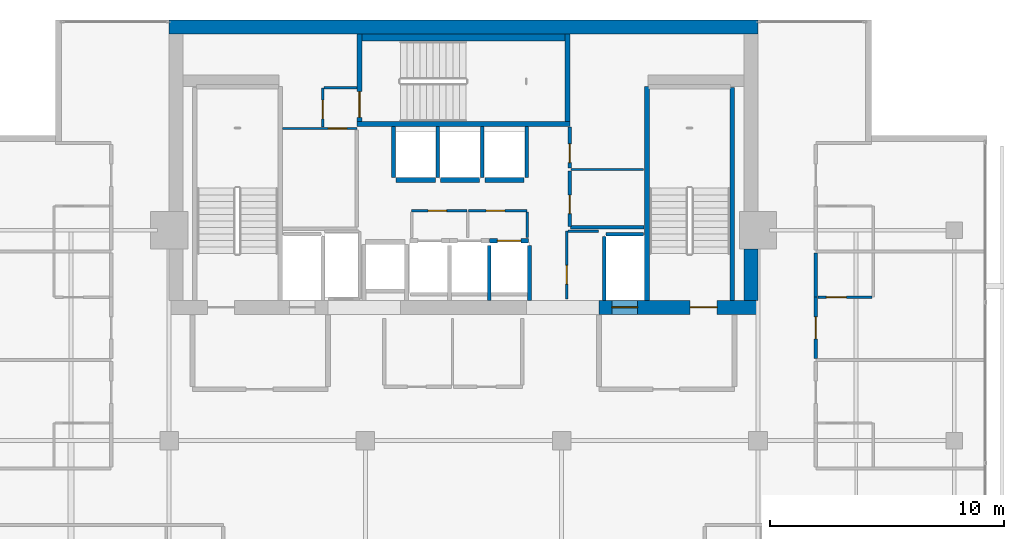
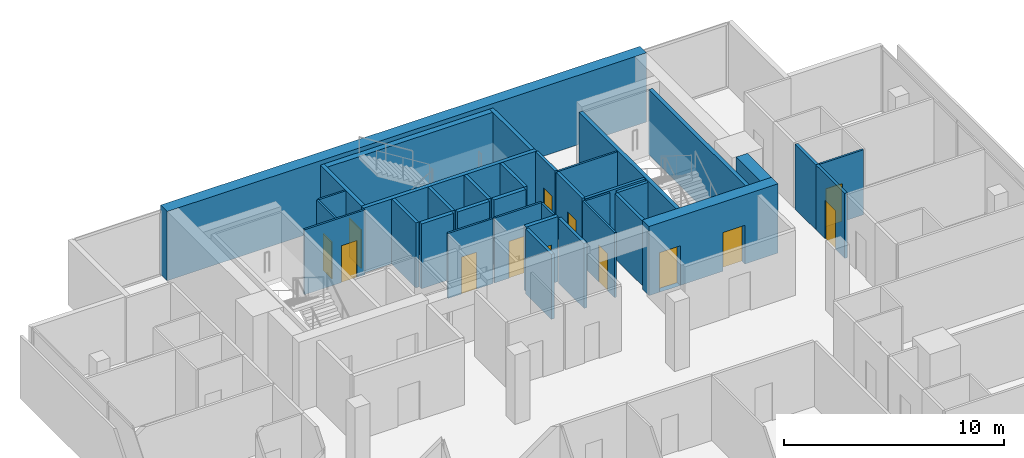
# One storey, part 23 of 26: 36 walls, 13 doors, 13 openings.
"""IFC4 building model written with IfcOpenShell, lengths in metres."""

from ifc_helpers import new_model, si_unit, direction, frame, frame_2d, origin, place, context, subcontext, project, spatial, rectangle, extrude, material, layer, layer_set, type_object, element, fill, save


model = new_model("IFC4")

# Units and contexts
model_context = context("Model", 3, precision=1e-05, world=origin(), true_north=direction((0.0, 1.0)))
body_context = subcontext(model_context, "Body", "Model", "MODEL_VIEW")
ifc_project = project(units=[si_unit("LENGTHUNIT", "METRE"), si_unit("AREAUNIT", "SQUARE_METRE"), si_unit("VOLUMEUNIT", "CUBIC_METRE"), si_unit("PLANEANGLEUNIT", "RADIAN"), si_unit("MASSUNIT", "GRAM", prefix="KILO")], contexts=[model_context])

# Site, building, storey
site_placement = place(None, origin())
site = spatial("IfcSite", under=ifc_project, at=site_placement, CompositionType="ELEMENT")
building_placement = place(site_placement, origin())
building = spatial("IfcBuilding", under=site, at=building_placement, Name="Maruvema Waterfront Hotel and Observation Tower", CompositionType="ELEMENT")
storey_placement = place(building_placement, frame((0.0, 0.0, 289.449951171875)))
storey = spatial("IfcBuildingStorey", under=building, at=storey_placement, Name="L71", CompositionType="ELEMENT", Elevation=289.449951171875)

# Wall, opening, door
ifc_material_1 = material(Name="Twin-stud acoustic gypsum drywall", Category="gypsum")
ifc_layer_1 = layer(ifc_material_1, 0.14990234375, Name="Acoustic Corridor and Suite Demising Wall 150 mm")
ifc_layer_set_1 = layer_set([ifc_layer_1], Name="Twin-stud acoustic gypsum drywall")
wall_type_1 = type_object("IfcWallType", Name="Acoustic Corridor and Suite Demising Wall 150 mm", PredefinedType="PARTITIONING", material=ifc_layer_set_1)
wall_1_placement = place(storey_placement, frame((42.340087890625, 45.159912109375, 0.0), z_axis=(0.0, 0.0, 1.0), x_axis=(0.0, 1.0, 0.0)))
wall_1 = element("IfcWall", 1, at=wall_1_placement, inside=storey, type_object=wall_type_1, Name="L71 Freed B2 West S 022", PredefinedType="PARTITIONING", context=body_context, shape_type="SweptSolid", body=[
    extrude(rectangle(XDim=2.380126953125, YDim=0.14990234375, at=frame_2d((1.18994140625, 0.0))), origin(), (0.0, 0.0, 1.0), 3.610107421875),
])
opening_1_placement = place(wall_1_placement, frame((0.550048828125, 0.0, 0.0)))
opening_1 = element("IfcOpeningElement", 2, at=opening_1_placement, cuts=wall_1, Name="Opening DR-080", PredefinedType="OPENING", context=body_context, shape_type="SweptSolid", body=[
    extrude(rectangle(XDim=0.800048828125, YDim=2.050048828125, at=frame_2d((0.39990234375, 1.02490234375))), frame((0.0, 0.0849609375, 0.0), z_axis=(0.0, -1.0, 0.0), x_axis=(1.0, 0.0, 0.0)), (0.0, 0.0, 1.0), 0.169921875),
])
ifc_material_2 = material(Name="Powder-coated steel access leaf", Category="steel")
door_type_1 = type_object("IfcDoorType", Name="Riser and Service Cupboard Door 800x2050 mm", OperationType="NOTDEFINED", PredefinedType="DOOR", material=ifc_material_2)
door_1_placement = place(opening_1_placement, frame((0.800048828125, 0.0, 0.0), z_axis=(0.0, 0.0, 1.0), x_axis=(-1.0, 0.0, 0.0)))
door_1 = element("IfcDoor", 3, at=door_1_placement, inside=storey, type_object=door_type_1, Name="L71 Butler Service Pantry Door", OperationType="SINGLE_SWING_RIGHT", OverallHeight=2.050048828125, OverallWidth=0.800048828125, PredefinedType="DOOR", context=body_context, shape_type="SweptSolid", body=[
    extrude(rectangle(XDim=0.800048828125, YDim=2.050048828125, at=frame_2d((0.39990234375, 1.02490234375))), frame((0.0, 0.02490234375, 0.0), z_axis=(0.0, -1.0, 0.0), x_axis=(1.0, 0.0, 0.0)), (0.0, 0.0, 1.0), 0.050048828125),
])
fill(opening_1, door_1)

wall_2_placement = place(storey_placement, frame((42.340087890625, 47.659912109375, 0.0), z_axis=(0.0, 0.0, 1.0), x_axis=(0.0, 1.0, 0.0)))
wall_2 = element("IfcWall", 4, at=wall_2_placement, inside=storey, type_object=wall_type_1, Name="L71 Freed B2 West N 023", PredefinedType="PARTITIONING", context=body_context, shape_type="SweptSolid", body=[
    extrude(rectangle(XDim=1.760009765625, YDim=0.14990234375, at=frame_2d((0.8798828125, 0.0))), origin(), (0.0, 0.0, 1.0), 3.610107421875),
])
opening_2_placement = place(wall_2_placement, frame((0.239990234375, 0.0, 0.0)))
opening_2 = element("IfcOpeningElement", 5, at=opening_2_placement, cuts=wall_2, Name="Opening DR-080", PredefinedType="OPENING", context=body_context, shape_type="SweptSolid", body=[
    extrude(rectangle(XDim=0.800048828125, YDim=2.050048828125, at=frame_2d((0.39990234375, 1.02490234375))), frame((0.0, 0.0849609375, 0.0), z_axis=(0.0, -1.0, 0.0), x_axis=(1.0, 0.0, 0.0)), (0.0, 0.0, 1.0), 0.169921875),
])
door_2_placement = place(opening_2_placement, frame((0.800048828125, 0.0, 0.0), z_axis=(0.0, 0.0, 1.0), x_axis=(-1.0, 0.0, 0.0)))
door_2 = element("IfcDoor", 6, at=door_2_placement, inside=storey, type_object=door_type_1, Name="L71 Core IT and Linen Store Door", OperationType="SINGLE_SWING_LEFT", OverallHeight=2.050048828125, OverallWidth=0.800048828125, PredefinedType="DOOR", context=body_context, shape_type="SweptSolid", body=[
    extrude(rectangle(XDim=0.800048828125, YDim=2.050048828125, at=frame_2d((0.39990234375, 1.02490234375))), frame((0.0, 0.02490234375, 0.0), z_axis=(0.0, -1.0, 0.0), x_axis=(1.0, 0.0, 0.0)), (0.0, 0.0, 1.0), 0.050048828125),
])
fill(opening_2, door_2)

# Wall
wall_3_placement = place(storey_placement, frame((42.3798828125, 45.1201171875, 0.0), z_axis=(0.0, 0.0, 1.0), x_axis=(1.0, 0.0, 0.0)))
element("IfcWall", 7, at=wall_3_placement, inside=storey, type_object=wall_type_1, Name="L71 Freed B2 South Wall 025", PredefinedType="PARTITIONING", context=body_context, shape_type="SweptSolid", body=[
    extrude(rectangle(XDim=3.14013671875, YDim=0.14990234375, at=frame_2d((1.570068359375, 0.0))), origin(), (0.0, 0.0, 1.0), 3.610107421875),
])

# Wall, opening, door
wall_4_placement = place(storey_placement, frame((52.8798828125, 39.505859375, 0.0), z_axis=(0.0, 0.0, 1.0), x_axis=(0.0, 1.0, 0.0)))
wall_4 = element("IfcWall", 8, at=wall_4_placement, inside=storey, type_object=wall_type_1, Name="L71 Room L71-NE2 Corridor Wall 111", PredefinedType="PARTITIONING", context=body_context, shape_type="SweptSolid", body=[
    extrude(rectangle(XDim=2.6357421875, YDim=0.14990234375, at=frame_2d((1.31787109375, 0.0))), origin(), (0.0, 0.0, 1.0), 3.610107421875),
])
opening_3_placement = place(wall_4_placement, frame((0.843017578125, 0.0, 0.0)))
opening_3 = element("IfcOpeningElement", 9, at=opening_3_placement, cuts=wall_4, Name="Opening DR-095", PredefinedType="OPENING", context=body_context, shape_type="SweptSolid", body=[
    extrude(rectangle(XDim=0.949951171875, YDim=2.14990234375, at=frame_2d((0.47509765625, 1.074951171875))), frame((0.0, 0.0849609375, 0.0), z_axis=(0.0, -1.0, 0.0), x_axis=(1.0, 0.0, 0.0)), (0.0, 0.0, 1.0), 0.169921875),
])
ifc_material_3 = material(Name="Acoustic solid-core hardwood timber leaf", Category="wood")
door_type_2 = type_object("IfcDoorType", Name="Guestroom Entrance Fire Door 950x2150 mm", OperationType="NOTDEFINED", PredefinedType="DOOR", material=ifc_material_3)
door_3_placement = place(opening_3_placement, frame((0.949951171875, 0.0, 0.0), z_axis=(0.0, 0.0, 1.0), x_axis=(-1.0, 0.0, 0.0)))
door_3 = element("IfcDoor", 10, at=door_3_placement, inside=storey, type_object=door_type_2, Name="L71 Room L71-NE2 Entrance Door", OperationType="SINGLE_SWING_LEFT", OverallHeight=2.14990234375, OverallWidth=0.949951171875, PredefinedType="DOOR", context=body_context, shape_type="SweptSolid", body=[
    extrude(rectangle(XDim=0.949951171875, YDim=2.14990234375, at=frame_2d((0.47509765625, 1.074951171875))), frame((0.0, 0.02490234375, 0.0), z_axis=(0.0, -1.0, 0.0), x_axis=(1.0, 0.0, 0.0)), (0.0, 0.0, 1.0), 0.050048828125),
])
fill(opening_3, door_3)

# Walls
wall_5_placement = place(storey_placement, frame((52.8798828125, 42.1416015625, 0.0), z_axis=(0.0, 0.0, 1.0), x_axis=(0.0, 1.0, 0.0)))
element("IfcWall", 11, at=wall_5_placement, inside=storey, type_object=wall_type_1, Name="L71 Bath L71-NE2 Wall 112", PredefinedType="PARTITIONING", context=body_context, shape_type="SweptSolid", body=[
    extrude(rectangle(XDim=1.89013671875, YDim=0.14990234375, at=frame_2d((0.945068359375, 0.0))), origin(), (0.0, 0.0, 1.0), 3.610107421875),
])
ifc_material_4 = material(Name="Precast concrete C45/55", Category="concrete")
ifc_layer_2 = layer(ifc_material_4, 0.300048828125, Name="Core Shaft Furring Wall 300 mm")
ifc_layer_set_2 = layer_set([ifc_layer_2], Name="Precast concrete C45/55")
wall_type_2 = type_object("IfcWallType", Name="Core Shaft Furring Wall 300 mm", PredefinedType="SOLIDWALL", material=ifc_layer_set_2)
wall_6_placement = place(storey_placement, frame((33.449951171875, 53.25, 0.0), z_axis=(0.0, 0.0, 1.0), x_axis=(1.0, 0.0, 0.0)))
element("IfcWall", 12, at=wall_6_placement, inside=storey, type_object=wall_type_2, Name="L71 Stairwell ST-02 North Furring Wall", PredefinedType="SOLIDWALL", context=body_context, shape_type="SweptSolid", body=[
    extrude(rectangle(XDim=8.699951171875, YDim=0.300048828125, at=frame_2d((4.35009765625, 0.0))), origin(), (0.0, 0.0, 1.0), 3.610107421875),
])
ifc_material_5 = material(Name="Precast concrete C45/55", Category="concrete")
ifc_layer_3 = layer(ifc_material_5, 0.199951171875, Name="Core Shaft and Stairwell Enclosure Wall 200 mm")
ifc_layer_set_3 = layer_set([ifc_layer_3], Name="Precast concrete C45/55")
wall_type_3 = type_object("IfcWallType", Name="Core Shaft and Stairwell Enclosure Wall 200 mm", PredefinedType="SOLIDWALL", material=ifc_layer_set_3)
wall_7_placement = place(storey_placement, frame((33.25, 49.550048828125, 0.0), z_axis=(0.0, 0.0, 1.0), x_axis=(1.0, 0.0, 0.0)))
element("IfcWall", 13, at=wall_7_placement, inside=storey, type_object=wall_type_3, Name="L71 Stairwell ST-02 Shaft Wall", PredefinedType="SOLIDWALL", context=body_context, shape_type="SweptSolid", body=[
    extrude(rectangle(XDim=9.10009765625, YDim=0.199951171875, at=frame_2d((4.550048828125, 0.0))), origin(), (0.0, 0.0, 1.0), 3.610107421875),
])
wall_8_placement = place(storey_placement, frame((42.25, 49.64990234375, 0.0), z_axis=(0.0, 0.0, 1.0), x_axis=(0.0, 1.0, 0.0)))
element("IfcWall", 14, at=wall_8_placement, inside=storey, type_object=wall_type_3, Name="L71 Stairwell ST-02 Shaft Wall", PredefinedType="SOLIDWALL", context=body_context, shape_type="SweptSolid", body=[
    extrude(rectangle(XDim=3.75, YDim=0.199951171875, at=frame_2d((1.875, 0.0))), origin(), (0.0, 0.0, 1.0), 3.610107421875),
])

# Wall, opening, door
wall_9_placement = place(storey_placement, frame((33.35009765625, 49.64990234375, 0.0), z_axis=(0.0, 0.0, 1.0), x_axis=(0.0, 1.0, 0.0)))
wall_9 = element("IfcWall", 15, at=wall_9_placement, inside=storey, type_object=wall_type_3, Name="L71 Stairwell ST-02 Shaft Wall", PredefinedType="SOLIDWALL", context=body_context, shape_type="SweptSolid", body=[
    extrude(rectangle(XDim=3.75, YDim=0.199951171875, at=frame_2d((1.875, 0.0))), origin(), (0.0, 0.0, 1.0), 3.610107421875),
])
opening_4_placement = place(wall_9_placement, frame((0.179931640625, 0.0, 0.0)))
opening_4 = element("IfcOpeningElement", 16, at=opening_4_placement, cuts=wall_9, Name="Opening SD-02", PredefinedType="OPENING", context=body_context, shape_type="SweptSolid", body=[
    extrude(rectangle(XDim=1.10009765625, YDim=2.14990234375, at=frame_2d((0.550048828125, 1.074951171875))), frame((0.0, 0.10986328125, 0.0), z_axis=(0.0, -1.0, 0.0), x_axis=(1.0, 0.0, 0.0)), (0.0, 0.0, 1.0), 0.219970703125),
])
ifc_material_6 = material(Name="Fire-rated galvanised steel leaf", Category="steel")
door_type_3 = type_object("IfcDoorType", Name="Central Exit Stair Fire Door 1100x2150 mm", OperationType="NOTDEFINED", PredefinedType="DOOR", material=ifc_material_6)
door_4_placement = place(opening_4_placement, frame((1.10009765625, 0.0, 0.0), z_axis=(0.0, 0.0, 1.0), x_axis=(-1.0, 0.0, 0.0)))
door_4 = element("IfcDoor", 17, at=door_4_placement, inside=storey, type_object=door_type_3, Name="L71 Exit Stair ST-02 Fire Door", OperationType="SINGLE_SWING_LEFT", OverallHeight=2.14990234375, OverallWidth=1.10009765625, PredefinedType="DOOR", context=body_context, shape_type="SweptSolid", body=[
    extrude(rectangle(XDim=1.10009765625, YDim=2.14990234375, at=frame_2d((0.550048828125, 1.074951171875))), frame((0.0, 0.02490234375, 0.0), z_axis=(0.0, -1.0, 0.0), x_axis=(1.0, 0.0, 0.0)), (0.0, 0.0, 1.0), 0.050048828125),
])
fill(opening_4, door_4)

# Walls
wall_10_placement = place(storey_placement, frame((45.64990234375, 42.0, 0.0), z_axis=(0.0, 0.0, 1.0), x_axis=(0.0, 1.0, 0.0)))
element("IfcWall", 18, at=wall_10_placement, inside=storey, type_object=wall_type_3, Name="L71 Stairwell ST-03 West Shaft Wall", PredefinedType="SOLIDWALL", context=body_context, shape_type="SweptSolid", body=[
    extrude(rectangle(XDim=9.14990234375, YDim=0.199951171875, at=frame_2d((4.574951171875, 0.0))), origin(), (0.0, 0.0, 1.0), 3.610107421875),
])
wall_11_placement = place(storey_placement, frame((49.300048828125, 42.0, 0.0), z_axis=(0.0, 0.0, 1.0), x_axis=(0.0, 1.0, 0.0)))
element("IfcWall", 19, at=wall_11_placement, inside=storey, type_object=wall_type_3, Name="L71 Stairwell ST-03 Shaft Lining Wall", PredefinedType="SOLIDWALL", context=body_context, shape_type="SweptSolid", body=[
    extrude(rectangle(XDim=9.1201171875, YDim=0.199951171875, at=frame_2d((4.56005859375, 0.0))), origin(), (0.0, 0.0, 1.0), 3.610107421875),
])

# Wall, opening, door
wall_12_placement = place(storey_placement, frame((38.909912109375, 44.550048828125, 0.0), z_axis=(0.0, 0.0, 1.0), x_axis=(1.0, 0.0, 0.0)))
wall_12 = element("IfcWall", 20, at=wall_12_placement, inside=storey, type_object=wall_type_3, Name="L71 Lift LF-11 Hoistway Front Wall", PredefinedType="SOLIDWALL", context=body_context, shape_type="SweptSolid", body=[
    extrude(rectangle(XDim=1.68017578125, YDim=0.199951171875, at=frame_2d((0.840087890625, 0.0))), origin(), (0.0, 0.0, 1.0), 3.610107421875),
])
opening_5_placement = place(wall_12_placement, frame((0.340087890625, 0.0, 0.0)))
opening_5 = element("IfcOpeningElement", 21, at=opening_5_placement, cuts=wall_12, Name="Opening LD-01", PredefinedType="OPENING", context=body_context, shape_type="SweptSolid", body=[
    extrude(rectangle(XDim=1.0, YDim=2.14990234375, at=frame_2d((0.5, 1.074951171875))), frame((0.0, 0.10986328125, 0.0), z_axis=(0.0, -1.0, 0.0), x_axis=(1.0, 0.0, 0.0)), (0.0, 0.0, 1.0), 0.219970703125),
])
ifc_material_7 = material(Name="Brushed stainless steel Grade 316", Category="steel")
door_type_4 = type_object("IfcDoorType", Name="Passenger Lift Sliding Landing Door 1000x2150 mm", OperationType="SLIDING_TO_LEFT", PredefinedType="DOOR", material=ifc_material_7)
door_5_placement = place(opening_5_placement, origin())
door_5 = element("IfcDoor", 22, at=door_5_placement, inside=storey, type_object=door_type_4, Name="L71 Lift LF-11 Sliding Landing Door", OperationType="SLIDING_TO_LEFT", OverallHeight=2.14990234375, OverallWidth=1.0, PredefinedType="DOOR", context=body_context, shape_type="SweptSolid", body=[
    extrude(rectangle(XDim=1.0, YDim=2.14990234375, at=frame_2d((0.5, 1.074951171875))), frame((0.0, 0.02490234375, 0.0), z_axis=(0.0, -1.0, 0.0), x_axis=(1.0, 0.0, 0.0)), (0.0, 0.0, 1.0), 0.050048828125),
])
fill(opening_5, door_5)

# Walls
wall_13_placement = place(storey_placement, frame((34.909912109375, 47.14990234375, 0.0), z_axis=(0.0, 0.0, 1.0), x_axis=(1.0, 0.0, 0.0)))
element("IfcWall", 23, at=wall_13_placement, inside=storey, type_object=wall_type_3, Name="L71 Lift LF-12 Hoistway Front Wall", PredefinedType="SOLIDWALL", context=body_context, shape_type="SweptSolid", body=[
    extrude(rectangle(XDim=1.68017578125, YDim=0.199951171875, at=frame_2d((0.840087890625, 0.0))), origin(), (0.0, 0.0, 1.0), 3.610107421875),
])
for number, where, z_axis, x_axis, name in (
    (24, (36.81005859375, 47.14990234375, 0.0), (0.0, 0.0, 1.0), (1.0, 0.0, 0.0), "L71 Lift LF-13 Hoistway Front Wall"),
    (25, (38.7099609375, 47.14990234375, 0.0), (0.0, 0.0, 1.0), (1.0, 0.0, 0.0), "L71 Lift LF-14 Hoistway Front Wall"),
):
    element("IfcWall", number, at=place(storey_placement, frame(where, z_axis=z_axis, x_axis=x_axis)), inside=storey, type_object=wall_type_3, Name=name, PredefinedType="SOLIDWALL", context=body_context, shape_type="SweptSolid", body=[
        extrude(rectangle(XDim=1.679931640625, YDim=0.199951171875, at=frame_2d((0.83984375, 0.0))), origin(), (0.0, 0.0, 1.0), 3.610107421875),
    ])
ifc_material_8 = material(Name="Concrete C60/75", Category="concrete")
ifc_layer_4 = layer(ifc_material_8, 0.60009765625, Name="Core Shear Wall 600 mm")
ifc_layer_set_4 = layer_set([ifc_layer_4], Name="Concrete C60/75")
wall_type_4 = type_object("IfcWallType", Name="Core Shear Wall 600 mm", PredefinedType="SHEAR", material=ifc_layer_set_4)
wall_14_placement = place(storey_placement, frame((25.199951171875, 53.699951171875, 0.0), z_axis=(0.0, 0.0, 1.0), x_axis=(1.0, 0.0, 0.0)))
element("IfcWall", 26, at=wall_14_placement, inside=storey, type_object=wall_type_4, Name="L71 North Core Shear Wall", PredefinedType="SHEAR", context=body_context, shape_type="SweptSolid", body=[
    extrude(rectangle(XDim=25.199951171875, YDim=0.60009765625, at=frame_2d((12.60009765625, 0.0))), origin(), (0.0, 0.0, 1.0), 3.85009765625),
])

# Wall, openings, doors
wall_15_placement = place(storey_placement, frame((43.60009765625, 41.699951171875, 0.0), z_axis=(0.0, 0.0, 1.0), x_axis=(1.0, 0.0, 0.0)))
wall_15 = element("IfcWall", 27, at=wall_15_placement, inside=storey, type_object=wall_type_4, Name="L71 South-East Core Shear Wall", PredefinedType="SHEAR", context=body_context, shape_type="SweptSolid", body=[
    extrude(rectangle(XDim=6.7998046875, YDim=0.60009765625, at=frame_2d((3.39990234375, 0.0))), origin(), (0.0, 0.0, 1.0), 3.85009765625),
])
opening_6_placement = place(wall_15_placement, frame((3.89990234375, 0.0, 0.0)))
opening_6 = element("IfcOpeningElement", 28, at=opening_6_placement, cuts=wall_15, Name="Opening SD-01", PredefinedType="OPENING", context=body_context, shape_type="SweptSolid", body=[
    extrude(rectangle(XDim=1.14990234375, YDim=2.14990234375, at=frame_2d((0.574951171875, 1.074951171875))), frame((0.0, 0.31005859375, 0.0), z_axis=(0.0, -1.0, 0.0), x_axis=(1.0, 0.0, 0.0)), (0.0, 0.0, 1.0), 0.6201171875),
])
opening_7_placement = place(wall_15_placement, frame((0.550048828125, 0.0, 0.0)))
opening_7 = element("IfcOpeningElement", 29, at=opening_7_placement, cuts=wall_15, Name="Opening LD-03", PredefinedType="OPENING", context=body_context, shape_type="SweptSolid", body=[
    extrude(rectangle(XDim=1.10009765625, YDim=2.199951171875, at=frame_2d((0.550048828125, 1.10009765625))), frame((0.0, 0.31005859375, 0.0), z_axis=(0.0, -1.0, 0.0), x_axis=(1.0, 0.0, 0.0)), (0.0, 0.0, 1.0), 0.6201171875),
])
ifc_material_9 = material(Name="Fire-rated galvanised steel leaf", Category="steel")
door_type_5 = type_object("IfcDoorType", Name="Exit Stair Fire Door 1150x2150 mm", OperationType="NOTDEFINED", PredefinedType="DOOR", material=ifc_material_9)
door_6_placement = place(opening_6_placement, origin())
door_6 = element("IfcDoor", 30, at=door_6_placement, inside=storey, type_object=door_type_5, Name="L71 Exit Stair ST-03 Fire Door", OperationType="SINGLE_SWING_RIGHT", OverallHeight=2.14990234375, OverallWidth=1.14990234375, PredefinedType="DOOR", context=body_context, shape_type="SweptSolid", body=[
    extrude(rectangle(XDim=1.14990234375, YDim=2.14990234375, at=frame_2d((0.574951171875, 1.074951171875))), frame((0.0, 0.02490234375, 0.0), z_axis=(0.0, -1.0, 0.0), x_axis=(1.0, 0.0, 0.0)), (0.0, 0.0, 1.0), 0.050048828125),
])
fill(opening_6, door_6)
ifc_material_10 = material(Name="Brushed stainless steel Grade 316", Category="steel")
door_type_6 = type_object("IfcDoorType", Name="Firefighting Lift Sliding Landing Door 1100x2200 mm", OperationType="SLIDING_TO_LEFT", PredefinedType="DOOR", material=ifc_material_10)
door_7_placement = place(opening_7_placement, frame((1.10009765625, 0.0, 0.0), z_axis=(0.0, 0.0, 1.0), x_axis=(-1.0, 0.0, 0.0)))
door_7 = element("IfcDoor", 31, at=door_7_placement, inside=storey, type_object=door_type_6, Name="L71 Firefighting Lift FL-02 Landing Door", OperationType="SLIDING_TO_LEFT", OverallHeight=2.199951171875, OverallWidth=1.10009765625, PredefinedType="DOOR", context=body_context, shape_type="SweptSolid", body=[
    extrude(rectangle(XDim=1.10009765625, YDim=2.199951171875, at=frame_2d((0.550048828125, 1.10009765625))), frame((0.0, 0.02490234375, 0.0), z_axis=(0.0, -1.0, 0.0), x_axis=(1.0, 0.0, 0.0)), (0.0, 0.0, 1.0), 0.050048828125),
])
fill(opening_7, door_7)

# Wall
wall_16_placement = place(storey_placement, frame((50.10009765625, 42.0, 0.0), z_axis=(0.0, 0.0, 1.0), x_axis=(0.0, 1.0, 0.0)))
element("IfcWall", 32, at=wall_16_placement, inside=storey, type_object=wall_type_4, Name="L71 East-South Core Shear Wall", PredefinedType="SHEAR", context=body_context, shape_type="SweptSolid", body=[
    extrude(rectangle(XDim=2.199951171875, YDim=0.60009765625, at=frame_2d((1.10009765625, 0.0))), origin(), (0.0, 0.0, 1.0), 3.85009765625),
])

# Wall, opening, door
ifc_material_11 = material(Name="Moisture-resistant cement-board drywall", Category="gypsum")
ifc_layer_5 = layer(ifc_material_11, 0.10009765625, Name="En-Suite Moisture-Resistant Partition 100 mm")
ifc_layer_set_5 = layer_set([ifc_layer_5], Name="Moisture-resistant cement-board drywall")
wall_type_5 = type_object("IfcWallType", Name="En-Suite Moisture-Resistant Partition 100 mm", PredefinedType="PARTITIONING", material=ifc_layer_set_5)
wall_17_placement = place(storey_placement, frame((35.580078125, 45.840087890625, 0.0), z_axis=(0.0, 0.0, 1.0), x_axis=(1.0, 0.0, 0.0)))
wall_17 = element("IfcWall", 33, at=wall_17_placement, inside=storey, type_object=wall_type_5, Name="L71 Core Closet K2A North 010", PredefinedType="PARTITIONING", context=body_context, shape_type="SweptSolid", body=[
    extrude(rectangle(XDim=2.35986328125, YDim=0.10009765625, at=frame_2d((1.179931640625, 0.0))), origin(), (0.0, 0.0, 1.0), 3.610107421875),
])
opening_8_placement = place(wall_17_placement, frame((0.699951171875, 0.0, 0.0)))
opening_8 = element("IfcOpeningElement", 34, at=opening_8_placement, cuts=wall_17, Name="Opening DR-080", PredefinedType="OPENING", context=body_context, shape_type="SweptSolid", body=[
    extrude(rectangle(XDim=0.800048828125, YDim=2.050048828125, at=frame_2d((0.39990234375, 1.02490234375))), frame((0.0, 0.06005859375, 0.0), z_axis=(0.0, -1.0, 0.0), x_axis=(1.0, 0.0, 0.0)), (0.0, 0.0, 1.0), 0.1201171875),
])
door_8_placement = place(opening_8_placement, origin())
door_8 = element("IfcDoor", 35, at=door_8_placement, inside=storey, type_object=door_type_1, Name="L71 Core IT Closet Door", OperationType="SINGLE_SWING_LEFT", OverallHeight=2.050048828125, OverallWidth=0.800048828125, PredefinedType="DOOR", context=body_context, shape_type="SweptSolid", body=[
    extrude(rectangle(XDim=0.800048828125, YDim=2.050048828125, at=frame_2d((0.39990234375, 1.02490234375))), frame((0.0, 0.02490234375, 0.0), z_axis=(0.0, -1.0, 0.0), x_axis=(1.0, 0.0, 0.0)), (0.0, 0.0, 1.0), 0.050048828125),
])
fill(opening_8, door_8)

wall_18_placement = place(storey_placement, frame((38.02001953125, 45.840087890625, 0.0), z_axis=(0.0, 0.0, 1.0), x_axis=(1.0, 0.0, 0.0)))
wall_18 = element("IfcWall", 36, at=wall_18_placement, inside=storey, type_object=wall_type_5, Name="L71 Core Closet K2B North 011", PredefinedType="PARTITIONING", context=body_context, shape_type="SweptSolid", body=[
    extrude(rectangle(XDim=2.5, YDim=0.10009765625, at=frame_2d((1.25, 0.0))), origin(), (0.0, 0.0, 1.0), 3.610107421875),
])
opening_9_placement = place(wall_18_placement, frame((0.75, 0.0, 0.0)))
opening_9 = element("IfcOpeningElement", 37, at=opening_9_placement, cuts=wall_18, Name="Opening DR-080", PredefinedType="OPENING", context=body_context, shape_type="SweptSolid", body=[
    extrude(rectangle(XDim=0.800048828125, YDim=2.050048828125, at=frame_2d((0.39990234375, 1.02490234375))), frame((0.0, 0.06005859375, 0.0), z_axis=(0.0, -1.0, 0.0), x_axis=(1.0, 0.0, 0.0)), (0.0, 0.0, 1.0), 0.1201171875),
])
door_9_placement = place(opening_9_placement, origin())
door_9 = element("IfcDoor", 38, at=door_9_placement, inside=storey, type_object=door_type_1, Name="L71 Core Linen Cupboard Door", OperationType="SINGLE_SWING_RIGHT", OverallHeight=2.050048828125, OverallWidth=0.800048828125, PredefinedType="DOOR", context=body_context, shape_type="SweptSolid", body=[
    extrude(rectangle(XDim=0.800048828125, YDim=2.050048828125, at=frame_2d((0.39990234375, 1.02490234375))), frame((0.0, 0.02490234375, 0.0), z_axis=(0.0, -1.0, 0.0), x_axis=(1.0, 0.0, 0.0)), (0.0, 0.0, 1.0), 0.050048828125),
])
fill(opening_9, door_9)

# Wall
wall_19_placement = place(storey_placement, frame((40.52001953125, 44.699951171875, 0.0), z_axis=(0.0, 0.0, 1.0), x_axis=(0.0, 1.0, 0.0)))
element("IfcWall", 39, at=wall_19_placement, inside=storey, type_object=wall_type_5, Name="L71 Core Closet K2 East 014", PredefinedType="PARTITIONING", context=body_context, shape_type="SweptSolid", body=[
    extrude(rectangle(XDim=1.080078125, YDim=0.10009765625, at=frame_2d((0.5400390625, 0.0))), origin(), (0.0, 0.0, 1.0), 3.610107421875),
])

# Wall, opening, door
wall_20_placement = place(storey_placement, frame((42.219970703125, 42.050048828125, 0.0), z_axis=(0.0, 0.0, 1.0), x_axis=(0.0, 1.0, 0.0)))
wall_20 = element("IfcWall", 40, at=wall_20_placement, inside=storey, type_object=wall_type_5, Name="L71 Core Closet K2C West 015", PredefinedType="PARTITIONING", context=body_context, shape_type="SweptSolid", body=[
    extrude(rectangle(XDim=2.909912109375, YDim=0.10009765625, at=frame_2d((1.455078125, 0.0))), origin(), (0.0, 0.0, 1.0), 3.610107421875),
])
opening_10_placement = place(wall_20_placement, frame((0.64990234375, 0.0, 0.0)))
opening_10 = element("IfcOpeningElement", 41, at=opening_10_placement, cuts=wall_20, Name="Opening DR-080", PredefinedType="OPENING", context=body_context, shape_type="SweptSolid", body=[
    extrude(rectangle(XDim=0.800048828125, YDim=2.050048828125, at=frame_2d((0.39990234375, 1.02490234375))), frame((0.0, 0.06005859375, 0.0), z_axis=(0.0, -1.0, 0.0), x_axis=(1.0, 0.0, 0.0)), (0.0, 0.0, 1.0), 0.1201171875),
])
door_10_placement = place(opening_10_placement, frame((0.800048828125, 0.0, 0.0), z_axis=(0.0, 0.0, 1.0), x_axis=(-1.0, 0.0, 0.0)))
door_10 = element("IfcDoor", 42, at=door_10_placement, inside=storey, type_object=door_type_1, Name="L71 Core Housekeeping Closet Door", OperationType="SINGLE_SWING_LEFT", OverallHeight=2.050048828125, OverallWidth=0.800048828125, PredefinedType="DOOR", context=body_context, shape_type="SweptSolid", body=[
    extrude(rectangle(XDim=0.800048828125, YDim=2.050048828125, at=frame_2d((0.39990234375, 1.02490234375))), frame((0.0, 0.02490234375, 0.0), z_axis=(0.0, -1.0, 0.0), x_axis=(1.0, 0.0, 0.0)), (0.0, 0.0, 1.0), 0.050048828125),
])
fill(opening_10, door_10)

# Wall
wall_21_placement = place(storey_placement, frame((42.280029296875, 44.9599609375, 0.0), z_axis=(0.0, 0.0, 1.0), x_axis=(1.0, 0.0, 0.0)))
element("IfcWall", 43, at=wall_21_placement, inside=storey, type_object=wall_type_5, Name="L71 Core Closet K2C North 016", PredefinedType="PARTITIONING", context=body_context, shape_type="SweptSolid", body=[
    extrude(rectangle(XDim=1.300048828125, YDim=0.10009765625, at=frame_2d((0.64990234375, 0.0))), origin(), (0.0, 0.0, 1.0), 3.610107421875),
])

# Wall, opening, door
wall_22_placement = place(storey_placement, frame((30.06005859375, 49.360107421875, 0.0), z_axis=(0.0, 0.0, 1.0), x_axis=(1.0, 0.0, 0.0)))
wall_22 = element("IfcWall", 44, at=wall_22_placement, inside=storey, type_object=wall_type_5, Name="L71 Freed B1 Mid Wall 019", PredefinedType="PARTITIONING", context=body_context, shape_type="SweptSolid", body=[
    extrude(rectangle(XDim=3.179931640625, YDim=0.10009765625, at=frame_2d((1.58984375, 0.0))), origin(), (0.0, 0.0, 1.0), 3.610107421875),
])
opening_11_placement = place(wall_22_placement, frame((1.949951171875, 0.0, 0.0)))
opening_11 = element("IfcOpeningElement", 45, at=opening_11_placement, cuts=wall_22, Name="Opening DR-080", PredefinedType="OPENING", context=body_context, shape_type="SweptSolid", body=[
    extrude(rectangle(XDim=0.800048828125, YDim=2.050048828125, at=frame_2d((0.39990234375, 1.02490234375))), frame((0.0, 0.06005859375, 0.0), z_axis=(0.0, -1.0, 0.0), x_axis=(1.0, 0.0, 0.0)), (0.0, 0.0, 1.0), 0.1201171875),
])
door_11_placement = place(opening_11_placement, origin())
door_11 = element("IfcDoor", 46, at=door_11_placement, inside=storey, type_object=door_type_1, Name="L71 Housekeeping and Linen Room Door", OperationType="SINGLE_SWING_RIGHT", OverallHeight=2.050048828125, OverallWidth=0.800048828125, PredefinedType="DOOR", context=body_context, shape_type="SweptSolid", body=[
    extrude(rectangle(XDim=0.800048828125, YDim=2.050048828125, at=frame_2d((0.39990234375, 1.02490234375))), frame((0.0, 0.02490234375, 0.0), z_axis=(0.0, -1.0, 0.0), x_axis=(1.0, 0.0, 0.0)), (0.0, 0.0, 1.0), 0.050048828125),
])
fill(opening_11, door_11)

wall_23_placement = place(storey_placement, frame((31.780029296875, 49.419921875, 0.0), z_axis=(0.0, 0.0, 1.0), x_axis=(0.0, 1.0, 0.0)))
wall_23 = element("IfcWall", 47, at=wall_23_placement, inside=storey, type_object=wall_type_5, Name="L71 Freed B1 NW East Wall 020", PredefinedType="PARTITIONING", context=body_context, shape_type="SweptSolid", body=[
    extrude(rectangle(XDim=1.68017578125, YDim=0.10009765625, at=frame_2d((0.840087890625, 0.0))), origin(), (0.0, 0.0, 1.0), 3.610107421875),
])
opening_12_placement = place(wall_23_placement, frame((0.35009765625, 0.0, 0.0)))
opening_12 = element("IfcOpeningElement", 48, at=opening_12_placement, cuts=wall_23, Name="Opening DR-080", PredefinedType="OPENING", context=body_context, shape_type="SweptSolid", body=[
    extrude(rectangle(XDim=0.800048828125, YDim=2.050048828125, at=frame_2d((0.39990234375, 1.02490234375))), frame((0.0, 0.06005859375, 0.0), z_axis=(0.0, -1.0, 0.0), x_axis=(1.0, 0.0, 0.0)), (0.0, 0.0, 1.0), 0.1201171875),
])
door_12_placement = place(opening_12_placement, origin())
door_12 = element("IfcDoor", 49, at=door_12_placement, inside=storey, type_object=door_type_1, Name="L71 Guest Floor Pantry Door", OperationType="SINGLE_SWING_LEFT", OverallHeight=2.050048828125, OverallWidth=0.800048828125, PredefinedType="DOOR", context=body_context, shape_type="SweptSolid", body=[
    extrude(rectangle(XDim=0.800048828125, YDim=2.050048828125, at=frame_2d((0.39990234375, 1.02490234375))), frame((0.0, 0.02490234375, 0.0), z_axis=(0.0, -1.0, 0.0), x_axis=(1.0, 0.0, 0.0)), (0.0, 0.0, 1.0), 0.050048828125),
])
fill(opening_12, door_12)

# Walls
wall_24_placement = place(storey_placement, frame((31.820068359375, 51.10009765625, 0.0), z_axis=(0.0, 0.0, 1.0), x_axis=(1.0, 0.0, 0.0)))
element("IfcWall", 50, at=wall_24_placement, inside=storey, type_object=wall_type_5, Name="L71 Freed B1 Vestibule North Wall 021", PredefinedType="PARTITIONING", context=body_context, shape_type="SweptSolid", body=[
    extrude(rectangle(XDim=1.419921875, YDim=0.10009765625, at=frame_2d((0.7099609375, 0.0))), origin(), (0.0, 0.0, 1.0), 3.610107421875),
])
wall_25_placement = place(storey_placement, frame((42.39990234375, 47.60009765625, 0.0), z_axis=(0.0, 0.0, 1.0), x_axis=(1.0, 0.0, 0.0)))
element("IfcWall", 51, at=wall_25_placement, inside=storey, type_object=wall_type_5, Name="L71 Freed B2 Split 024", PredefinedType="PARTITIONING", context=body_context, shape_type="SweptSolid", body=[
    extrude(rectangle(XDim=3.10009765625, YDim=0.10009765625, at=frame_2d((1.550048828125, 0.0))), origin(), (0.0, 0.0, 1.0), 3.610107421875),
])

# Wall, opening, door
wall_26_placement = place(storey_placement, frame((52.97998046875, 42.1416015625, 0.0), z_axis=(0.0, 0.0, 1.0), x_axis=(1.0, 0.0, 0.0)))
wall_26 = element("IfcWall", 52, at=wall_26_placement, inside=storey, type_object=wall_type_5, Name="L71 En-Suite L71-NE2 S 114", PredefinedType="PARTITIONING", context=body_context, shape_type="SweptSolid", body=[
    extrude(rectangle(XDim=2.300048828125, YDim=0.10009765625, at=frame_2d((1.14990234375, 0.0))), origin(), (0.0, 0.0, 1.0), 3.610107421875),
])
opening_13_placement = place(wall_26_placement, frame((0.35009765625, 0.0, 0.0)))
opening_13 = element("IfcOpeningElement", 53, at=opening_13_placement, cuts=wall_26, Name="Opening DR-085", PredefinedType="OPENING", context=body_context, shape_type="SweptSolid", body=[
    extrude(rectangle(XDim=0.85009765625, YDim=2.10009765625, at=frame_2d((0.425048828125, 1.050048828125))), frame((0.0, 0.06005859375, 0.0), z_axis=(0.0, -1.0, 0.0), x_axis=(1.0, 0.0, 0.0)), (0.0, 0.0, 1.0), 0.1201171875),
])
ifc_material_12 = material(Name="Moisture-resistant solid timber leaf", Category="wood")
door_type_7 = type_object("IfcDoorType", Name="En-Suite Bathroom Door 850x2100 mm", OperationType="NOTDEFINED", PredefinedType="DOOR", material=ifc_material_12)
door_13_placement = place(opening_13_placement, frame((0.85009765625, 0.0, 0.0), z_axis=(0.0, 0.0, 1.0), x_axis=(-1.0, 0.0, 0.0)))
door_13 = element("IfcDoor", 54, at=door_13_placement, inside=storey, type_object=door_type_7, Name="L71 En-Suite L71-NE2 Door", OperationType="SINGLE_SWING_RIGHT", OverallHeight=2.10009765625, OverallWidth=0.85009765625, PredefinedType="DOOR", context=body_context, shape_type="SweptSolid", body=[
    extrude(rectangle(XDim=0.85009765625, YDim=2.10009765625, at=frame_2d((0.425048828125, 1.050048828125))), frame((0.0, 0.02490234375, 0.0), z_axis=(0.0, -1.0, 0.0), x_axis=(1.0, 0.0, 0.0)), (0.0, 0.0, 1.0), 0.050048828125),
])
fill(opening_13, door_13)

# Walls
ifc_material_13 = material(Name="Precast concrete C45/55", Category="concrete")
ifc_layer_6 = layer(ifc_material_13, 0.159912109375, Name="Lift Hoistway Divider Wall 160 mm")
ifc_layer_set_6 = layer_set([ifc_layer_6], Name="Precast concrete C45/55")
wall_type_6 = type_object("IfcWallType", Name="Lift Hoistway Divider Wall 160 mm", PredefinedType="SOLIDWALL", material=ifc_layer_set_6)
wall_27_placement = place(storey_placement, frame((43.89990234375, 44.830078125, 0.0), z_axis=(0.0, 0.0, 1.0), x_axis=(1.0, 0.0, 0.0)))
element("IfcWall", 55, at=wall_27_placement, inside=storey, type_object=wall_type_6, Name="L71 Lift FL-02 Rear Hoistway Wall", PredefinedType="SOLIDWALL", context=body_context, shape_type="SweptSolid", body=[
    extrude(rectangle(XDim=1.60009765625, YDim=0.159912109375, at=frame_2d((0.800048828125, 0.0))), origin(), (0.0, 0.0, 1.0), 3.610107421875),
])
wall_28_placement = place(storey_placement, frame((43.820068359375, 42.0, 0.0), z_axis=(0.0, 0.0, 1.0), x_axis=(0.0, 1.0, 0.0)))
element("IfcWall", 56, at=wall_28_placement, inside=storey, type_object=wall_type_6, Name="L71 Lift FL-02 Inner Hoistway Wall", PredefinedType="SOLIDWALL", context=body_context, shape_type="SweptSolid", body=[
    extrude(rectangle(XDim=2.739990234375, YDim=0.159912109375, at=frame_2d((1.3701171875, 0.0))), origin(), (0.0, 0.0, 1.0), 3.610107421875),
])
for number, where, z_axis, x_axis, name in (
    (57, (38.89990234375, 42.0, 0.0), (0.0, 0.0, 1.0), (0.0, 1.0, 0.0), "L71 Hoistway Divider Wall"),
    (58, (40.6201171875, 42.0, 0.0), (0.0, 0.0, 1.0), (0.0, 1.0, 0.0), "L71 Hoistway Divider Wall"),
):
    element("IfcWall", number, at=place(storey_placement, frame(where, z_axis=z_axis, x_axis=x_axis)), inside=storey, type_object=wall_type_6, Name=name, PredefinedType="SOLIDWALL", context=body_context, shape_type="SweptSolid", body=[
        extrude(rectangle(XDim=2.35009765625, YDim=0.159912109375, at=frame_2d((1.175048828125, 0.0))), origin(), (0.0, 0.0, 1.0), 3.610107421875),
    ])
for number, where, z_axis, x_axis, name in (
    (59, (34.800048828125, 47.25, 0.0), (0.0, 0.0, 1.0), (0.0, 1.0, 0.0), "L71 Hoistway Divider Wall"),
    (60, (36.699951171875, 47.25, 0.0), (0.0, 0.0, 1.0), (0.0, 1.0, 0.0), "L71 Hoistway Divider Wall"),
    (61, (38.60009765625, 47.25, 0.0), (0.0, 0.0, 1.0), (0.0, 1.0, 0.0), "L71 Hoistway Divider Wall"),
    (62, (40.5, 47.25, 0.0), (0.0, 0.0, 1.0), (0.0, 1.0, 0.0), "L71 Hoistway Divider Wall"),
):
    element("IfcWall", number, at=place(storey_placement, frame(where, z_axis=z_axis, x_axis=x_axis)), inside=storey, type_object=wall_type_6, Name=name, PredefinedType="SOLIDWALL", context=body_context, shape_type="SweptSolid", body=[
        extrude(rectangle(XDim=2.18994140625, YDim=0.159912109375, at=frame_2d((1.094970703125, 0.0))), origin(), (0.0, 0.0, 1.0), 3.610107421875),
    ])

save(model, "model.ifc")
